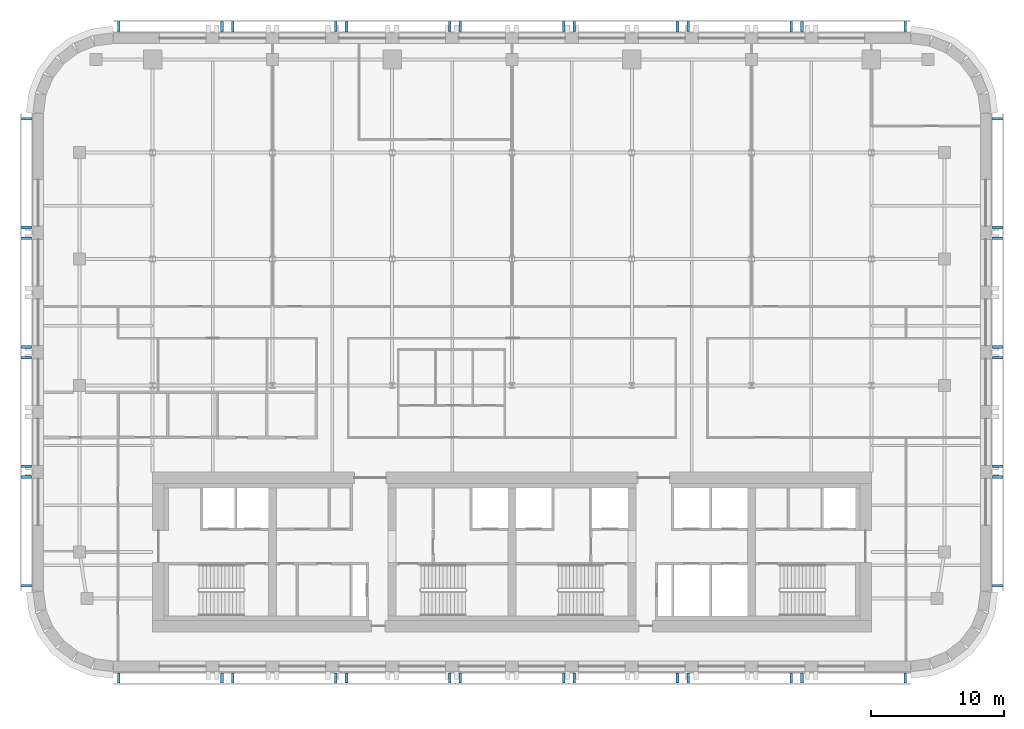
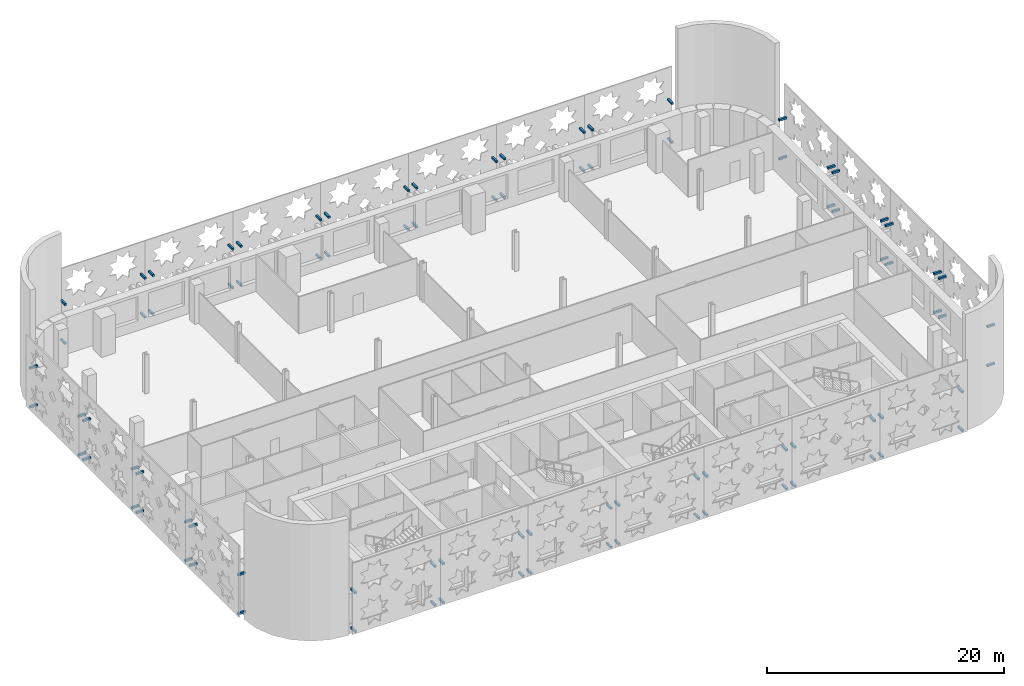
# One storey, part 9 of 14: 88 discrete accessories.
"""IFC4 building model written with IfcOpenShell, lengths in metres."""

import ifcopenshell
import ifcopenshell.guid

model = None  # the IFC model being written
_history = None  # IfcOwnerHistory: only IFC2X3 demands one
_inside = {}  # id of a spatial element -> (the spatial element, [elements in it])
_under = {}  # id of a project, library or spatial element -> (it, [spatial elements below it])
_declared = {}  # id of a project -> (the project, [libraries it declares])
_typed = {}  # id of a type object -> (the type object, [elements of that type])
_made_of = {}  # id of a material, layer set ... -> (it, [elements and type objects made of it])


def new_model(schema):
    """Start an empty IFC model of exactly this schema.

    Asked for "IFC4X3", IfcOpenShell would pick the latest addendum, in which some entities
    have other attributes; the version numbers below select the first issue.
    IFC2X3 requires an IfcOwnerHistory on every rooted entity: one is made here for all.
    """
    global model, _history
    if schema == "IFC4X3":
        model = ifcopenshell.file(schema_version=(4, 3, 0, 0))
    else:
        model = ifcopenshell.file(schema=schema)
    _inside.clear()
    _under.clear()
    _declared.clear()
    _typed.clear()
    _made_of.clear()
    _history = None
    if model.schema == "IFC2X3":
        org = make("IfcOrganization", Name="unknown")
        user = make(
            "IfcPersonAndOrganization",
            ThePerson=make("IfcPerson", FamilyName="unknown"),
            TheOrganization=org,
        )
        app = make(
            "IfcApplication",
            ApplicationDeveloper=org,
            Version="unknown",
            ApplicationFullName="unknown",
            ApplicationIdentifier="unknown",
        )
        _history = make(
            "IfcOwnerHistory",
            OwningUser=user,
            OwningApplication=app,
            ChangeAction="ADDED",
            CreationDate=0,
        )
    return model


def make(cls, **values):
    """One entity of the class cls with the attributes given. An attribute that is None is left unset."""
    return model.create_entity(
        cls, **{name: value for name, value in values.items() if value is not None}
    )


def rooted(cls, **values):
    """An entity with a GlobalId (a new one), such as an element, a storey or a relation."""
    return make(cls, GlobalId=ifcopenshell.guid.new(), OwnerHistory=_history, **values)


def si_unit(unit_type, name, prefix=None):
    """IfcSIUnit, for example si_unit("LENGTHUNIT", "METRE", prefix="MILLI")."""
    return make("IfcSIUnit", UnitType=unit_type, Prefix=prefix, Name=name)


def assignment(units):
    """IfcUnitAssignment: the units of a project."""
    return None if units is None else make("IfcUnitAssignment", Units=units)


def point(xyz):
    """IfcCartesianPoint."""
    return None if xyz is None else make("IfcCartesianPoint", Coordinates=xyz)


def direction(xyz):
    """IfcDirection."""
    return None if xyz is None else make("IfcDirection", DirectionRatios=xyz)


def frame(location, z_axis=None, x_axis=None):
    """IfcAxis2Placement3D, a coordinate frame: its origin and axes. An axis left out is left unset."""
    return make(
        "IfcAxis2Placement3D",
        Location=point(location),
        Axis=direction(z_axis),
        RefDirection=direction(x_axis),
    )


def frame_2d(location, x_axis=None):
    """IfcAxis2Placement2D, a coordinate frame in the plane: its origin and x axis."""
    return make(
        "IfcAxis2Placement2D", Location=point(location), RefDirection=direction(x_axis)
    )


def origin():
    """The frame at (0, 0, 0) with its axes left unset."""
    return frame((0.0, 0.0, 0.0))


def origin_2d():
    """The frame at (0, 0) in the plane with its x axis left unset."""
    return frame_2d((0.0, 0.0))


def place(relative_to, where):
    """IfcLocalPlacement: puts the frame where relative to a parent placement (None: the world)."""
    return make(
        "IfcLocalPlacement", PlacementRelTo=relative_to, RelativePlacement=where
    )


def context(
    kind, dimensions, precision=None, world=None, true_north=None, identifier=None
):
    """IfcGeometricRepresentationContext, for example the 3D "Model" context."""
    return make(
        "IfcGeometricRepresentationContext",
        ContextIdentifier=identifier,
        ContextType=kind,
        CoordinateSpaceDimension=dimensions,
        Precision=precision,
        WorldCoordinateSystem=world,
        TrueNorth=true_north,
    )


def subcontext(parent, identifier, kind, view, scale=None):
    """IfcGeometricRepresentationSubContext, for example "Body" below "Model"."""
    return make(
        "IfcGeometricRepresentationSubContext",
        ContextIdentifier=identifier,
        ContextType=kind,
        ParentContext=parent,
        TargetScale=scale,
        TargetView=view,
    )


def project(units=None, contexts=None):
    """IfcProject with its units and contexts."""
    return rooted(
        "IfcProject",
        Name="project",
        RepresentationContexts=contexts,
        UnitsInContext=assignment(units),
    )


def spatial(cls, under=None, at=None, **own):
    """A site, building, storey or space (cls), placed at a placement, below another one or the project."""
    s = rooted(cls, ObjectPlacement=at, **own)
    if under is not None:
        _under.setdefault(under.id(), (under, []))[1].append(s)
    return s


def profile(cls, at=None, kind="AREA", **sizes):
    """A parametric profile (cls). Its sizes go by their IFC names, for example OverallWidth=200.0."""
    return make(cls, ProfileType=kind, Position=at, **sizes)


def rectangle(**sizes):
    """IfcRectangleProfileDef."""
    return profile("IfcRectangleProfileDef", **sizes)


def extrude(swept, where, along, depth):
    """IfcExtrudedAreaSolid: the profile swept, set in the frame where, extruded along a direction by depth."""
    return make(
        "IfcExtrudedAreaSolid",
        SweptArea=swept,
        Position=where,
        ExtrudedDirection=direction(along),
        Depth=depth,
    )


def shape(context_of_items, identifier, shape_type, items):
    """IfcShapeRepresentation: the items that make up one representation, for example the "Body"."""
    return make(
        "IfcShapeRepresentation",
        ContextOfItems=context_of_items,
        RepresentationIdentifier=identifier,
        RepresentationType=shape_type,
        Items=items,
    )


def material(Name=None, Category=None):
    """IfcMaterial."""
    return make("IfcMaterial", Name=Name, Category=Category)


def made_of(thing, what):
    """Note that an element or type object is made of a material, layer set ...; save() writes the relation."""
    if what is not None:
        _made_of.setdefault(what.id(), (what, []))[1].append(thing)
    return thing


def type_object(cls, material=None, **own):
    """A type object (cls), such as IfcWallType, which elements share."""
    return made_of(rooted(cls, **own), material)


def element(
    cls,
    number,
    at=None,
    inside=None,
    cuts=None,
    type_object=None,
    material=None,
    context=None,
    identifier="Body",
    shape_type=None,
    held_by="IfcProductDefinitionShape",
    body=None,
    shapes=None,
    **own,
):
    """One element of the class cls, such as IfcWall. Its Tag is "e" and its number.

    at: its placement. inside: the storey or other place that contains it. cuts: it is an
    opening in that element (IfcRelVoidsElement). A single representation is given by context,
    identifier, shape_type and body (its items); several are given by shapes. held_by: the class
    of the entity that holds the representations. save() writes the other relations.
    """
    e = rooted(cls, Tag="e%d" % number, ObjectPlacement=at, **own)
    if body is not None:
        shapes = [shape(context, identifier, shape_type, body)]
    if shapes is not None:
        e.Representation = make(held_by, Representations=shapes)
    if inside is not None:
        _inside.setdefault(inside.id(), (inside, []))[1].append(e)
    if cuts is not None:
        rooted(
            "IfcRelVoidsElement", RelatingBuildingElement=cuts, RelatedOpeningElement=e
        )
    if type_object is not None:
        _typed.setdefault(type_object.id(), (type_object, []))[1].append(e)
    return made_of(e, material)


def aggregate(whole, parts):
    """IfcRelAggregates: a whole, such as a stair, and the parts it consists of."""
    return rooted("IfcRelAggregates", RelatingObject=whole, RelatedObjects=parts)


def save(model, path):
    """Write the relations noted so far, then the file.

    IfcRelAggregates (storeys below a building ...), IfcRelContainedInSpatialStructure (elements
    in a storey), IfcRelDefinesByType, IfcRelAssociatesMaterial and IfcRelDeclares: one each for
    every whole, place, type object, material and project.
    """
    for whole, parts in _under.values():
        aggregate(whole, parts)
    for where, things in _inside.values():
        rooted(
            "IfcRelContainedInSpatialStructure",
            RelatedElements=things,
            RelatingStructure=where,
        )
    for kind, things in _typed.values():
        rooted("IfcRelDefinesByType", RelatedObjects=things, RelatingType=kind)
    for what, things in _made_of.values():
        rooted("IfcRelAssociatesMaterial", RelatedObjects=things, RelatingMaterial=what)
    for by, libraries in _declared.values():
        rooted("IfcRelDeclares", RelatingContext=by, RelatedDefinitions=libraries)
    model.write(path)


model = new_model("IFC4")

# Units and contexts
model_context = context("Model", 3, precision=1e-05, world=origin(), true_north=direction((0.0, 1.0)))
body_context = subcontext(model_context, "Body", "Model", "MODEL_VIEW")
ifc_project = project(units=[si_unit("LENGTHUNIT", "METRE"), si_unit("AREAUNIT", "SQUARE_METRE"), si_unit("VOLUMEUNIT", "CUBIC_METRE"), si_unit("PLANEANGLEUNIT", "RADIAN"), si_unit("MASSUNIT", "GRAM", prefix="KILO")], contexts=[model_context])

# Site, building, storey
site_placement = place(None, origin())
site = spatial("IfcSite", under=ifc_project, at=site_placement, CompositionType="ELEMENT")
building_placement = place(site_placement, origin())
building = spatial("IfcBuilding", under=site, at=building_placement, Name="Zellij Exchange Tower", CompositionType="ELEMENT")
storey_placement = place(building_placement, frame((0.0, 0.0, 188.5)))
storey = spatial("IfcBuildingStorey", under=building, at=storey_placement, Name="L43", CompositionType="ELEMENT", Elevation=188.5)

# Discrete accessories
ifc_material = material(Name="Stainless steel", Category="steel")
discrete_accessory_type = type_object("IfcDiscreteAccessoryType", Name="ENV-BR1 Stone panel bracket 200", PredefinedType="USERDEFINED", material=ifc_material)
for number, where, z_axis, x_axis, name in (
    (1, (-36.47509765625, 24.547607421875, 0.2998046875), (0.0, 0.0, 1.0), (0.0, -1.0, 0.0), "Panel bracket"),
    (2, (-36.47509765625, 16.373779296875, 0.2998046875), (0.0, 0.0, 1.0), (0.0, -1.0, 0.0), "Panel bracket"),
    (3, (-36.47509765625, 24.547607421875, 4.2998046875), (0.0, 0.0, 1.0), (0.0, -1.0, 0.0), "Panel bracket"),
    (4, (-36.47509765625, 16.373779296875, 4.2998046875), (0.0, 0.0, 1.0), (0.0, -1.0, 0.0), "Panel bracket"),
    (5, (-36.47509765625, 15.57373046875, 0.2998046875), (0.0, 0.0, 1.0), (0.0, -1.0, 0.0), "Panel bracket"),
    (6, (-36.47509765625, 7.39990234375, 0.2998046875), (0.0, 0.0, 1.0), (0.0, -1.0, 0.0), "Panel bracket"),
    (7, (-36.47509765625, 15.57373046875, 4.2998046875), (0.0, 0.0, 1.0), (0.0, -1.0, 0.0), "Panel bracket"),
    (8, (-36.47509765625, 7.39990234375, 4.2998046875), (0.0, 0.0, 1.0), (0.0, -1.0, 0.0), "Panel bracket"),
    (9, (-36.47509765625, 6.60009765625, 0.2998046875), (0.0, 0.0, 1.0), (0.0, -1.0, 0.0), "Panel bracket"),
    (10, (-36.47509765625, -1.57373046875, 0.2998046875), (0.0, 0.0, 1.0), (0.0, -1.0, 0.0), "Panel bracket"),
    (11, (-36.47509765625, 6.60009765625, 4.2998046875), (0.0, 0.0, 1.0), (0.0, -1.0, 0.0), "Panel bracket"),
    (12, (-36.47509765625, -1.57373046875, 4.2998046875), (0.0, 0.0, 1.0), (0.0, -1.0, 0.0), "Panel bracket"),
    (13, (-36.47509765625, -2.373779296875, 0.2998046875), (0.0, 0.0, 1.0), (0.0, -1.0, 0.0), "Panel bracket"),
    (14, (-36.47509765625, -10.547607421875, 0.2998046875), (0.0, 0.0, 1.0), (0.0, -1.0, 0.0), "Panel bracket"),
    (15, (-36.47509765625, -2.373779296875, 4.2998046875), (0.0, 0.0, 1.0), (0.0, -1.0, 0.0), "Panel bracket"),
    (16, (-36.47509765625, -10.547607421875, 4.2998046875), (0.0, 0.0, 1.0), (0.0, -1.0, 0.0), "Panel bracket"),
    (17, (-29.547607421875, -17.47509765625, 0.2998046875), (0.0, 0.0, 1.0), (1.0, 0.0, 0.0), "Panel bracket"),
    (18, (-21.791015625, -17.47509765625, 0.2998046875), (0.0, 0.0, 1.0), (1.0, 0.0, 0.0), "Panel bracket"),
    (19, (-29.547607421875, -17.47509765625, 4.2998046875), (0.0, 0.0, 1.0), (1.0, 0.0, 0.0), "Panel bracket"),
    (20, (-21.791015625, -17.47509765625, 4.2998046875), (0.0, 0.0, 1.0), (1.0, 0.0, 0.0), "Panel bracket"),
    (21, (-20.9912109375, -17.47509765625, 0.2998046875), (0.0, 0.0, 1.0), (1.0, 0.0, 0.0), "Panel bracket"),
    (22, (-13.234619140625, -17.47509765625, 0.2998046875), (0.0, 0.0, 1.0), (1.0, 0.0, 0.0), "Panel bracket"),
    (23, (-20.9912109375, -17.47509765625, 4.2998046875), (0.0, 0.0, 1.0), (1.0, 0.0, 0.0), "Panel bracket"),
    (24, (-13.234619140625, -17.47509765625, 4.2998046875), (0.0, 0.0, 1.0), (1.0, 0.0, 0.0), "Panel bracket"),
    (25, (-12.434814453125, -17.47509765625, 0.2998046875), (0.0, 0.0, 1.0), (1.0, 0.0, 0.0), "Panel bracket"),
    (26, (-4.67822265625, -17.47509765625, 0.2998046875), (0.0, 0.0, 1.0), (1.0, 0.0, 0.0), "Panel bracket"),
    (27, (-12.434814453125, -17.47509765625, 4.2998046875), (0.0, 0.0, 1.0), (1.0, 0.0, 0.0), "Panel bracket"),
    (28, (-4.67822265625, -17.47509765625, 4.2998046875), (0.0, 0.0, 1.0), (1.0, 0.0, 0.0), "Panel bracket"),
    (29, (-3.878173828125, -17.47509765625, 0.2998046875), (0.0, 0.0, 1.0), (1.0, 0.0, 0.0), "Panel bracket"),
    (30, (3.878173828125, -17.47509765625, 0.2998046875), (0.0, 0.0, 1.0), (1.0, 0.0, 0.0), "Panel bracket"),
    (31, (-3.878173828125, -17.47509765625, 4.2998046875), (0.0, 0.0, 1.0), (1.0, 0.0, 0.0), "Panel bracket"),
    (32, (3.878173828125, -17.47509765625, 4.2998046875), (0.0, 0.0, 1.0), (1.0, 0.0, 0.0), "Panel bracket"),
    (33, (4.67822265625, -17.47509765625, 0.2998046875), (0.0, 0.0, 1.0), (1.0, 0.0, 0.0), "Panel bracket"),
    (34, (12.434814453125, -17.47509765625, 0.2998046875), (0.0, 0.0, 1.0), (1.0, 0.0, 0.0), "Panel bracket"),
    (35, (4.67822265625, -17.47509765625, 4.2998046875), (0.0, 0.0, 1.0), (1.0, 0.0, 0.0), "Panel bracket"),
    (36, (12.434814453125, -17.47509765625, 4.2998046875), (0.0, 0.0, 1.0), (1.0, 0.0, 0.0), "Panel bracket"),
    (37, (13.234619140625, -17.47509765625, 0.2998046875), (0.0, 0.0, 1.0), (1.0, 0.0, 0.0), "Panel bracket"),
    (38, (20.9912109375, -17.47509765625, 0.2998046875), (0.0, 0.0, 1.0), (1.0, 0.0, 0.0), "Panel bracket"),
    (39, (13.234619140625, -17.47509765625, 4.2998046875), (0.0, 0.0, 1.0), (1.0, 0.0, 0.0), "Panel bracket"),
    (40, (20.9912109375, -17.47509765625, 4.2998046875), (0.0, 0.0, 1.0), (1.0, 0.0, 0.0), "Panel bracket"),
    (41, (21.791015625, -17.47509765625, 0.2998046875), (0.0, 0.0, 1.0), (1.0, 0.0, 0.0), "Panel bracket"),
    (42, (29.547607421875, -17.47509765625, 0.2998046875), (0.0, 0.0, 1.0), (1.0, 0.0, 0.0), "Panel bracket"),
    (43, (21.791015625, -17.47509765625, 4.2998046875), (0.0, 0.0, 1.0), (1.0, 0.0, 0.0), "Panel bracket"),
    (44, (29.547607421875, -17.47509765625, 4.2998046875), (0.0, 0.0, 1.0), (1.0, 0.0, 0.0), "Panel bracket"),
    (45, (29.547607421875, 31.47509765625, 0.2998046875), (0.0, 0.0, 1.0), (-1.0, 0.0, 0.0), "Panel bracket"),
    (46, (21.791015625, 31.47509765625, 0.2998046875), (0.0, 0.0, 1.0), (-1.0, 0.0, 0.0), "Panel bracket"),
    (47, (29.547607421875, 31.47509765625, 4.2998046875), (0.0, 0.0, 1.0), (-1.0, 0.0, 0.0), "Panel bracket"),
    (48, (21.791015625, 31.47509765625, 4.2998046875), (0.0, 0.0, 1.0), (-1.0, 0.0, 0.0), "Panel bracket"),
    (49, (20.9912109375, 31.47509765625, 0.2998046875), (0.0, 0.0, 1.0), (-1.0, 0.0, 0.0), "Panel bracket"),
    (50, (13.234619140625, 31.47509765625, 0.2998046875), (0.0, 0.0, 1.0), (-1.0, 0.0, 0.0), "Panel bracket"),
    (51, (20.9912109375, 31.47509765625, 4.2998046875), (0.0, 0.0, 1.0), (-1.0, 0.0, 0.0), "Panel bracket"),
    (52, (13.234619140625, 31.47509765625, 4.2998046875), (0.0, 0.0, 1.0), (-1.0, 0.0, 0.0), "Panel bracket"),
    (53, (12.434814453125, 31.47509765625, 0.2998046875), (0.0, 0.0, 1.0), (-1.0, 0.0, 0.0), "Panel bracket"),
    (54, (4.67822265625, 31.47509765625, 0.2998046875), (0.0, 0.0, 1.0), (-1.0, 0.0, 0.0), "Panel bracket"),
    (55, (12.434814453125, 31.47509765625, 4.2998046875), (0.0, 0.0, 1.0), (-1.0, 0.0, 0.0), "Panel bracket"),
    (56, (4.67822265625, 31.47509765625, 4.2998046875), (0.0, 0.0, 1.0), (-1.0, 0.0, 0.0), "Panel bracket"),
    (57, (3.878173828125, 31.47509765625, 0.2998046875), (0.0, 0.0, 1.0), (-1.0, 0.0, 0.0), "Panel bracket"),
    (58, (-3.878173828125, 31.47509765625, 0.2998046875), (0.0, 0.0, 1.0), (-1.0, 0.0, 0.0), "Panel bracket"),
    (59, (3.878173828125, 31.47509765625, 4.2998046875), (0.0, 0.0, 1.0), (-1.0, 0.0, 0.0), "Panel bracket"),
    (60, (-3.878173828125, 31.47509765625, 4.2998046875), (0.0, 0.0, 1.0), (-1.0, 0.0, 0.0), "Panel bracket"),
    (61, (-4.67822265625, 31.47509765625, 0.2998046875), (0.0, 0.0, 1.0), (-1.0, 0.0, 0.0), "Panel bracket"),
    (62, (-12.434814453125, 31.47509765625, 0.2998046875), (0.0, 0.0, 1.0), (-1.0, 0.0, 0.0), "Panel bracket"),
    (63, (-4.67822265625, 31.47509765625, 4.2998046875), (0.0, 0.0, 1.0), (-1.0, 0.0, 0.0), "Panel bracket"),
    (64, (-12.434814453125, 31.47509765625, 4.2998046875), (0.0, 0.0, 1.0), (-1.0, 0.0, 0.0), "Panel bracket"),
    (65, (-13.234619140625, 31.47509765625, 0.2998046875), (0.0, 0.0, 1.0), (-1.0, 0.0, 0.0), "Panel bracket"),
    (66, (-20.9912109375, 31.47509765625, 0.2998046875), (0.0, 0.0, 1.0), (-1.0, 0.0, 0.0), "Panel bracket"),
    (67, (-13.234619140625, 31.47509765625, 4.2998046875), (0.0, 0.0, 1.0), (-1.0, 0.0, 0.0), "Panel bracket"),
    (68, (-20.9912109375, 31.47509765625, 4.2998046875), (0.0, 0.0, 1.0), (-1.0, 0.0, 0.0), "Panel bracket"),
    (69, (-21.791015625, 31.47509765625, 0.2998046875), (0.0, 0.0, 1.0), (-1.0, 0.0, 0.0), "Panel bracket"),
    (70, (-29.547607421875, 31.47509765625, 0.2998046875), (0.0, 0.0, 1.0), (-1.0, 0.0, 0.0), "Panel bracket"),
    (71, (-21.791015625, 31.47509765625, 4.2998046875), (0.0, 0.0, 1.0), (-1.0, 0.0, 0.0), "Panel bracket"),
    (72, (-29.547607421875, 31.47509765625, 4.2998046875), (0.0, 0.0, 1.0), (-1.0, 0.0, 0.0), "Panel bracket"),
    (73, (36.47509765625, -10.547607421875, 0.2998046875), (0.0, 0.0, 1.0), (0.0, 1.0, 0.0), "Panel bracket"),
    (74, (36.47509765625, -2.373779296875, 0.2998046875), (0.0, 0.0, 1.0), (0.0, 1.0, 0.0), "Panel bracket"),
    (75, (36.47509765625, -10.547607421875, 4.2998046875), (0.0, 0.0, 1.0), (0.0, 1.0, 0.0), "Panel bracket"),
    (76, (36.47509765625, -2.373779296875, 4.2998046875), (0.0, 0.0, 1.0), (0.0, 1.0, 0.0), "Panel bracket"),
    (77, (36.47509765625, -1.57373046875, 0.2998046875), (0.0, 0.0, 1.0), (0.0, 1.0, 0.0), "Panel bracket"),
    (78, (36.47509765625, 6.60009765625, 0.2998046875), (0.0, 0.0, 1.0), (0.0, 1.0, 0.0), "Panel bracket"),
    (79, (36.47509765625, -1.57373046875, 4.2998046875), (0.0, 0.0, 1.0), (0.0, 1.0, 0.0), "Panel bracket"),
    (80, (36.47509765625, 6.60009765625, 4.2998046875), (0.0, 0.0, 1.0), (0.0, 1.0, 0.0), "Panel bracket"),
    (81, (36.47509765625, 7.39990234375, 0.2998046875), (0.0, 0.0, 1.0), (0.0, 1.0, 0.0), "Panel bracket"),
    (82, (36.47509765625, 15.57373046875, 0.2998046875), (0.0, 0.0, 1.0), (0.0, 1.0, 0.0), "Panel bracket"),
    (83, (36.47509765625, 7.39990234375, 4.2998046875), (0.0, 0.0, 1.0), (0.0, 1.0, 0.0), "Panel bracket"),
    (84, (36.47509765625, 15.57373046875, 4.2998046875), (0.0, 0.0, 1.0), (0.0, 1.0, 0.0), "Panel bracket"),
    (85, (36.47509765625, 16.373779296875, 0.2998046875), (0.0, 0.0, 1.0), (0.0, 1.0, 0.0), "Panel bracket"),
    (86, (36.47509765625, 24.547607421875, 0.2998046875), (0.0, 0.0, 1.0), (0.0, 1.0, 0.0), "Panel bracket"),
    (87, (36.47509765625, 16.373779296875, 4.2998046875), (0.0, 0.0, 1.0), (0.0, 1.0, 0.0), "Panel bracket"),
    (88, (36.47509765625, 24.547607421875, 4.2998046875), (0.0, 0.0, 1.0), (0.0, 1.0, 0.0), "Panel bracket"),
):
    element("IfcDiscreteAccessory", number, at=place(storey_placement, frame(where, z_axis=z_axis, x_axis=x_axis)), inside=storey, type_object=discrete_accessory_type, Name=name, ObjectType="BRACKET", PredefinedType="USERDEFINED", context=body_context, shape_type="SweptSolid", body=[
        extrude(rectangle(XDim=0.199951171875, YDim=0.75, at=origin_2d()), origin(), (0.0, 0.0, 1.0), 0.199951171875),
    ])

save(model, "model.ifc")
